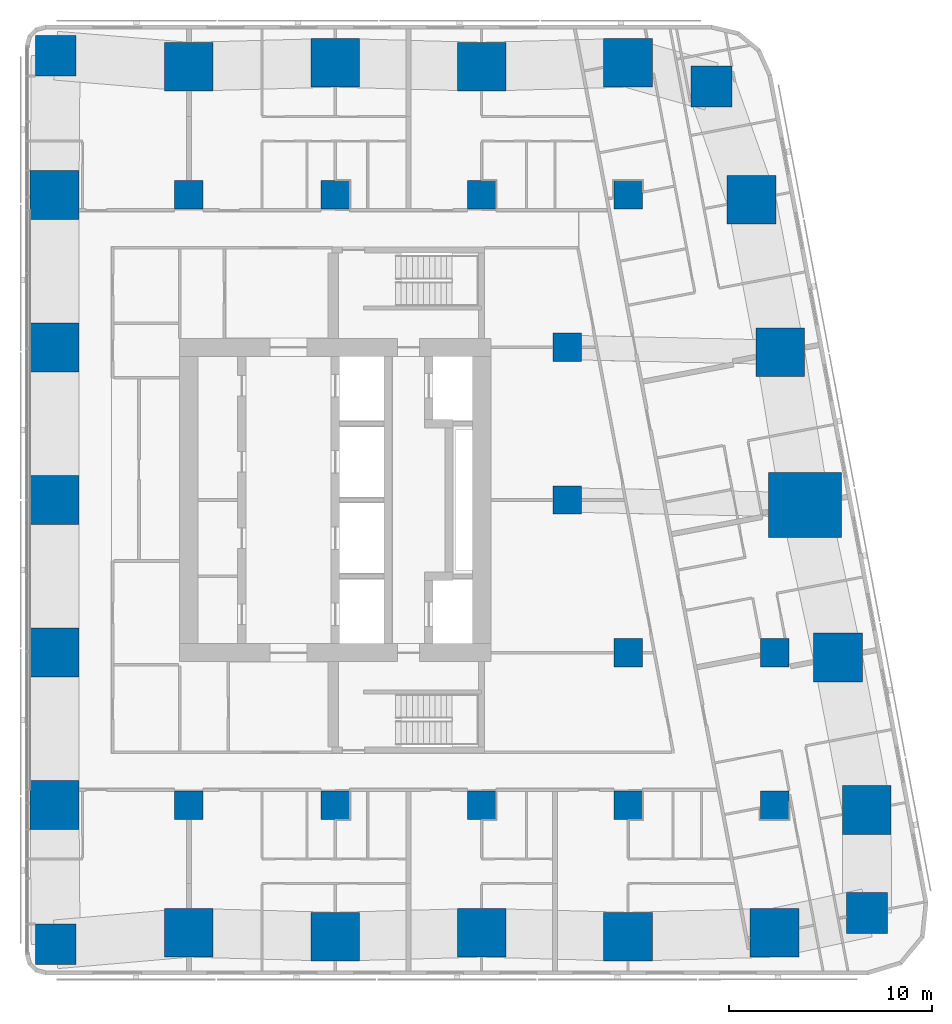
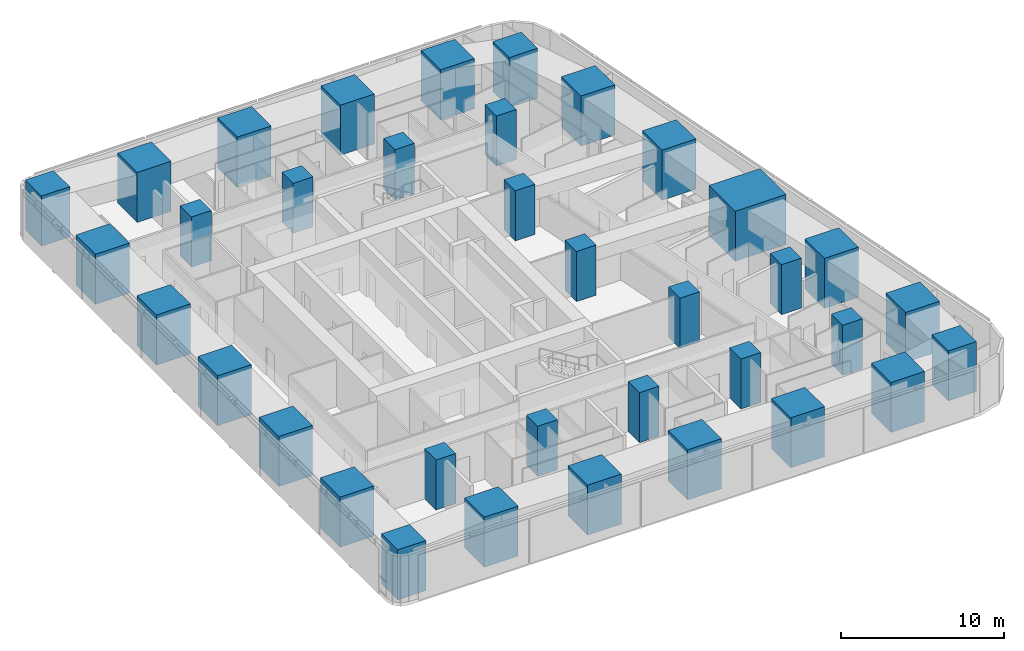
# One storey, part 1 of 19: 36 columns.
"""IFC4 building model written with IfcOpenShell, lengths in metres."""

from ifc_helpers import new_model, si_unit, direction, frame, origin, origin_2d, place, context, subcontext, project, spatial, rectangle, extrude, material, material_profile, profile_set, type_object, element, save


model = new_model("IFC4")

# Units and contexts
model_context = context("Model", 3, precision=1e-05, world=origin(), true_north=direction((0.0, 1.0)))
body_context = subcontext(model_context, "Body", "Model", "MODEL_VIEW")
ifc_project = project(units=[si_unit("LENGTHUNIT", "METRE"), si_unit("AREAUNIT", "SQUARE_METRE"), si_unit("VOLUMEUNIT", "CUBIC_METRE"), si_unit("PLANEANGLEUNIT", "RADIAN"), si_unit("MASSUNIT", "GRAM", prefix="KILO")], contexts=[model_context])

# Site, building, storey
site_placement = place(None, origin())
site = spatial("IfcSite", under=ifc_project, at=site_placement, CompositionType="ELEMENT")
building_placement = place(site_placement, origin())
building = spatial("IfcBuilding", under=site, at=building_placement, Name="Sheger Commons Tower", CompositionType="ELEMENT")
storey_placement = place(building_placement, frame((0.0, 0.0, 219.949951171875)))
storey = spatial("IfcBuildingStorey", under=building, at=storey_placement, Name="L56", CompositionType="ELEMENT", Elevation=219.949951171875)

# Columns
ifc_material_1 = material(Name="Concrete C50/60", Category="concrete")
ifc_material_profile_1 = material_profile(ifc_material_1, rectangle(XDim=3.60009765625, YDim=3.199951171875, at=origin_2d()), Name="RC 3600x3200")
ifc_profile_set_1 = profile_set([ifc_material_profile_1], Name="Concrete C50/60")
column_type_1 = type_object("IfcColumnType", Name="COLUMN PIER RC 3600x3200", PredefinedType="COLUMN", material=ifc_profile_set_1)
column_placement = place(storey_placement, frame((44.697021484375, 22.262939453125, 0.0), z_axis=(0.0, 0.0, 1.0), x_axis=(1.0, 0.0, 0.0)))
element("IfcColumn", 1, at=column_placement, inside=storey, type_object=column_type_1, Name="Pier 7/D+E/D L56", PredefinedType="COLUMN", context=body_context, shape_type="SweptSolid", body=[
    extrude(rectangle(XDim=3.60009765625, YDim=3.199951171875, at=origin_2d()), origin(), (0.0, 0.0, 1.0), 3.75),
])
ifc_material_2 = material(Name="Concrete C50/60", Category="concrete")
ifc_material_profile_2 = material_profile(ifc_material_2, rectangle(XDim=1.39990234375, YDim=1.39990234375, at=origin_2d()), Name="RC 1400x1400")
ifc_profile_set_2 = profile_set([ifc_material_profile_2], Name="Concrete C50/60")
column_type_2 = type_object("IfcColumnType", Name="COLUMN RC 1400x1400", PredefinedType="COLUMN", material=ifc_profile_set_2)
for number, where, z_axis, x_axis, name in (
    (2, (14.39990234375, 7.5, 0.0), (0.0, 0.0, 1.0), (1.0, 0.0, 0.0), "Column 3/B L56"),
    (3, (21.60009765625, 7.5, 0.0), (0.0, 0.0, 1.0), (1.0, 0.0, 0.0), "Column 4/B L56"),
    (4, (28.800048828125, 7.5, 0.0), (0.0, 0.0, 1.0), (1.0, 0.0, 0.0), "Column 5/B L56"),
    (5, (36.0, 7.5, 0.0), (0.0, 0.0, 1.0), (1.0, 0.0, 0.0), "Column 6/B L56"),
    (6, (43.199951171875, 7.5, 0.0), (0.0, 0.0, 1.0), (1.0, 0.0, 0.0), "Column 7/B L56"),
    (7, (36.0, 15.0, 0.0), (0.0, 0.0, 1.0), (1.0, 0.0, 0.0), "Column 6/C L56"),
    (8, (43.199951171875, 15.0, 0.0), (0.0, 0.0, 1.0), (1.0, 0.0, 0.0), "Column 7/C L56"),
    (9, (33.0, 22.5, 0.0), (0.0, 0.0, 1.0), (1.0, 0.0, 0.0), "Column 6-3000/D L56"),
    (10, (33.0, 30.0, 0.0), (0.0, 0.0, 1.0), (1.0, 0.0, 0.0), "Column 6-3000/E L56"),
    (11, (14.39990234375, 37.5, 0.0), (0.0, 0.0, 1.0), (1.0, 0.0, 0.0), "Column 3/F L56"),
    (12, (21.60009765625, 37.5, 0.0), (0.0, 0.0, 1.0), (1.0, 0.0, 0.0), "Column 4/F L56"),
    (13, (28.800048828125, 37.5, 0.0), (0.0, 0.0, 1.0), (1.0, 0.0, 0.0), "Column 5/F L56"),
    (14, (36.0, 37.5, 0.0), (0.0, 0.0, 1.0), (1.0, 0.0, 0.0), "Column 6/F L56"),
):
    element("IfcColumn", number, at=place(storey_placement, frame(where, z_axis=z_axis, x_axis=x_axis)), inside=storey, type_object=column_type_2, Name=name, PredefinedType="COLUMN", context=body_context, shape_type="SweptSolid", body=[
        extrude(rectangle(XDim=1.39990234375, YDim=1.39990234375, at=origin_2d()), origin(), (0.0, 0.0, 1.0), 3.75),
    ])
ifc_material_3 = material(Name="Concrete C50/60", Category="concrete")
ifc_material_profile_3 = material_profile(ifc_material_3, rectangle(XDim=2.0, YDim=2.0, at=origin_2d()), Name="RC 2000x2000")
ifc_profile_set_3 = profile_set([ifc_material_profile_3], Name="Concrete C50/60")
column_type_3 = type_object("IfcColumnType", Name="COLUMN RC 2000x2000", PredefinedType="COLUMN", material=ifc_profile_set_3)
for number, where, z_axis, x_axis, name in (
    (15, (7.85400390625, 0.654052734375, 0.0), (0.0, 0.0, 1.0), (1.0, 0.0, 0.0), "Column 2/A L56"),
    (16, (47.748046875, 2.197021484375, 0.0), (0.0, 0.0, 1.0), (1.0, 0.0, 0.0), "Column 49.461,0.778 L56"),
    (17, (40.10205078125, 42.830078125, 0.0), (0.0, 0.0, 1.0), (1.0, 0.0, 0.0), "Column 41.490,44.505 L56"),
    (18, (7.85400390625, 44.345947265625, 0.0), (0.0, 0.0, 1.0), (1.0, 0.0, 0.0), "Column 2/G L56"),
):
    element("IfcColumn", number, at=place(storey_placement, frame(where, z_axis=z_axis, x_axis=x_axis)), inside=storey, type_object=column_type_3, Name=name, PredefinedType="COLUMN", context=body_context, shape_type="SweptSolid", body=[
        extrude(rectangle(XDim=2.0, YDim=2.0, at=origin_2d()), origin(), (0.0, 0.0, 1.0), 3.75),
    ])
ifc_material_4 = material(Name="Concrete C50/60", Category="concrete")
ifc_material_profile_4 = material_profile(ifc_material_4, rectangle(XDim=2.39990234375, YDim=2.39990234375, at=origin_2d()), Name="RC 2400x2400")
ifc_profile_set_4 = profile_set([ifc_material_profile_4], Name="Concrete C50/60")
column_type_4 = type_object("IfcColumnType", Name="COLUMN RC 2400x2400", PredefinedType="COLUMN", material=ifc_profile_set_4)
for number, where, z_axis, x_axis, name in (
    (19, (14.39990234375, 1.22509765625, 0.0), (0.0, 0.0, 1.0), (1.0, 0.0, 0.0), "Column 3/A L56"),
    (20, (21.60009765625, 1.02490234375, 0.0), (0.0, 0.0, 1.0), (1.0, 0.0, 0.0), "Column 4/A L56"),
    (21, (28.800048828125, 1.22509765625, 0.0), (0.0, 0.0, 1.0), (1.0, 0.0, 0.0), "Column 5/A L56"),
    (22, (36.0, 1.02490234375, 0.0), (0.0, 0.0, 1.0), (1.0, 0.0, 0.0), "Column 6/A L56"),
    (23, (43.199951171875, 1.22509765625, 0.0), (0.0, 0.0, 1.0), (1.0, 0.0, 0.0), "Column 7/A L56"),
    (24, (7.800048828125, 7.5, 0.0), (0.0, 0.0, 1.0), (1.0, 0.0, 0.0), "Column 2/B L56"),
    (25, (47.72998046875, 7.262939453125, 0.0), (0.0, 0.0, 1.0), (1.0, 0.0, 0.0), "Column E/B L56"),
    (26, (7.800048828125, 15.0, 0.0), (0.0, 0.0, 1.0), (1.0, 0.0, 0.0), "Column 2/C L56"),
    (27, (46.31396484375, 14.762939453125, 0.0), (0.0, 0.0, 1.0), (1.0, 0.0, 0.0), "Column E/C L56"),
    (28, (7.800048828125, 22.5, 0.0), (0.0, 0.0, 1.0), (1.0, 0.0, 0.0), "Column 2/D L56"),
    (29, (7.800048828125, 30.0, 0.0), (0.0, 0.0, 1.0), (1.0, 0.0, 0.0), "Column 2/E L56"),
    (30, (43.47998046875, 29.762939453125, 0.0), (0.0, 0.0, 1.0), (1.0, 0.0, 0.0), "Column E/E L56"),
    (31, (7.800048828125, 37.5, 0.0), (0.0, 0.0, 1.0), (1.0, 0.0, 0.0), "Column 2/F L56"),
    (32, (42.06396484375, 37.262939453125, 0.0), (0.0, 0.0, 1.0), (1.0, 0.0, 0.0), "Column E/F L56"),
    (33, (14.39990234375, 43.800048828125, 0.0), (0.0, 0.0, 1.0), (1.0, 0.0, 0.0), "Column 3/G L56"),
    (34, (21.60009765625, 44.0, 0.0), (0.0, 0.0, 1.0), (1.0, 0.0, 0.0), "Column 4/G L56"),
    (35, (28.800048828125, 43.800048828125, 0.0), (0.0, 0.0, 1.0), (1.0, 0.0, 0.0), "Column 5/G L56"),
    (36, (36.0, 44.0, 0.0), (0.0, 0.0, 1.0), (1.0, 0.0, 0.0), "Column 6/G L56"),
):
    element("IfcColumn", number, at=place(storey_placement, frame(where, z_axis=z_axis, x_axis=x_axis)), inside=storey, type_object=column_type_4, Name=name, PredefinedType="COLUMN", context=body_context, shape_type="SweptSolid", body=[
        extrude(rectangle(XDim=2.39990234375, YDim=2.39990234375, at=origin_2d()), origin(), (0.0, 0.0, 1.0), 3.75),
    ])

save(model, "model.ifc")
